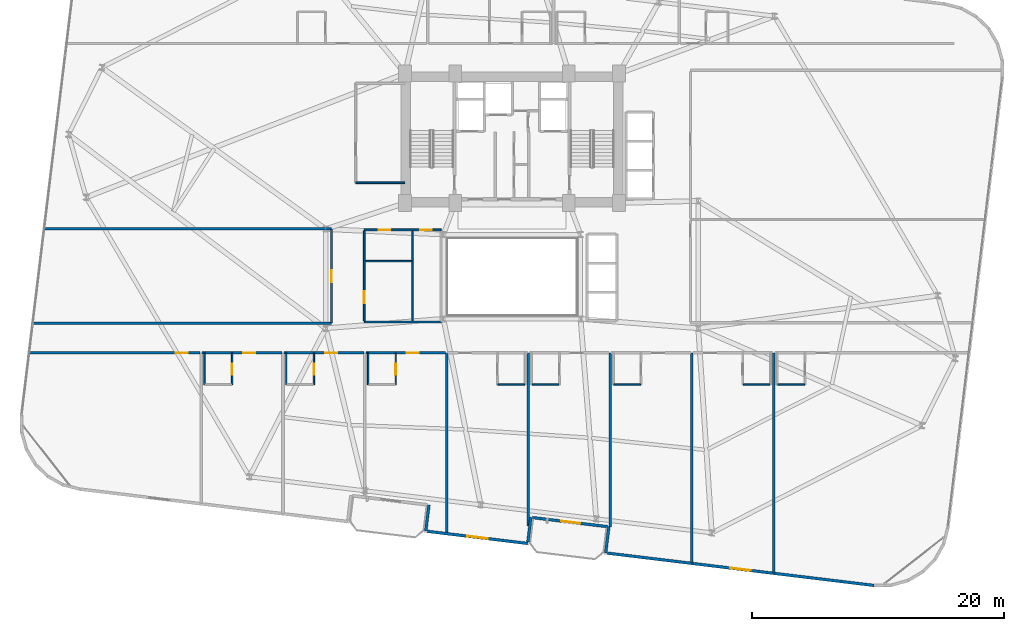
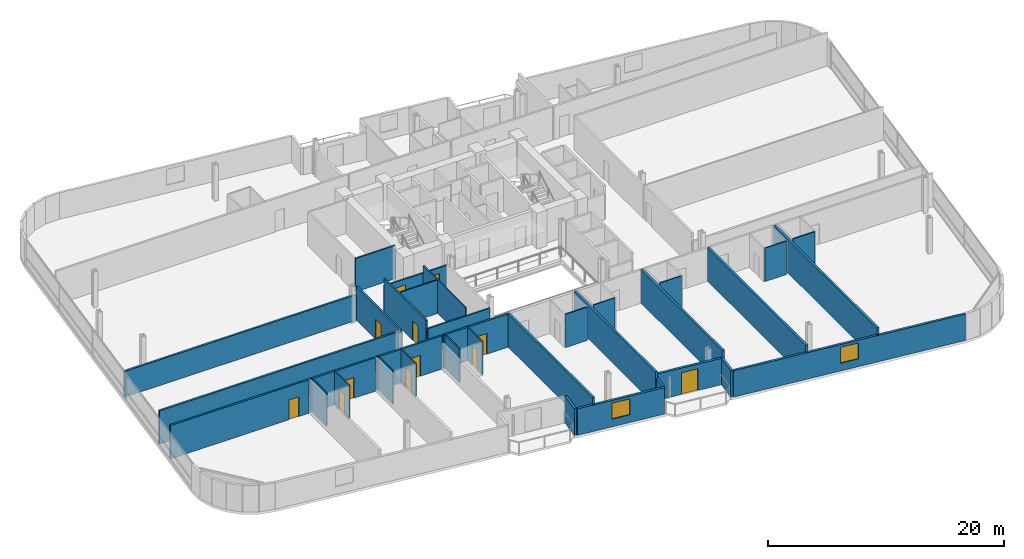
# One storey, part 20 of 26: 35 walls, 12 doors, 2 windows, 14 openings.
"""IFC4 building model written with IfcOpenShell, lengths in metres."""

from ifc_helpers import new_model, si_unit, direction, frame, frame_2d, origin, place, context, subcontext, project, spatial, rectangle, extrude, material, layer, layer_set, type_object, element, fill, save


model = new_model("IFC4")

# Units and contexts
model_context = context("Model", 3, precision=1e-05, world=origin(), true_north=direction((0.0, 1.0)))
body_context = subcontext(model_context, "Body", "Model", "MODEL_VIEW")
ifc_project = project(units=[si_unit("LENGTHUNIT", "METRE"), si_unit("AREAUNIT", "SQUARE_METRE"), si_unit("VOLUMEUNIT", "CUBIC_METRE"), si_unit("PLANEANGLEUNIT", "RADIAN"), si_unit("MASSUNIT", "GRAM", prefix="KILO")], contexts=[model_context])

# Site, building, storey
site_placement = place(None, origin())
site = spatial("IfcSite", under=ifc_project, at=site_placement, CompositionType="ELEMENT")
building_placement = place(site_placement, origin())
building = spatial("IfcBuilding", under=site, at=building_placement, Name="Varnelok Gate Tower", CompositionType="ELEMENT")
storey_placement = place(building_placement, frame((0.0, 0.0, 121.699951171875)))
storey = spatial("IfcBuildingStorey", under=building, at=storey_placement, Name="L30", CompositionType="ELEMENT", Elevation=121.699951171875)

# Wall, opening, door
ifc_material_1 = material(Name="Concrete C45/55", Category="concrete")
ifc_layer_1 = layer(ifc_material_1, 0.219970703125)
ifc_layer_set_1 = layer_set([ifc_layer_1], Name="Concrete C45/55")
wall_type_1 = type_object("IfcWallType", Name="EW-BALC-220", PredefinedType="SOLIDWALL", material=ifc_layer_set_1)
wall_1_placement = place(storey_placement, frame((46.77587890625, 3.03662109375, 0.0), z_axis=(0.0, 0.0, 1.0), x_axis=(-0.992735402148, 0.120318000826, 0.0)))
wall_1 = element("IfcWall", 1, at=wall_1_placement, inside=storey, type_object=wall_type_1, Name="L30 South Terrace Envelope Wall 2", PredefinedType="SOLIDWALL", context=body_context, shape_type="SweptSolid", body=[
    extrude(rectangle(XDim=6.000244140625, YDim=0.219970703125, at=frame_2d((3.0, 0.0))), origin(), (0.0, 0.0, 1.0), 2.72998046875),
])
opening_1_placement = place(wall_1_placement, frame((2.176025390625, 0.0, 0.0)))
opening_1 = element("IfcOpeningElement", 2, at=opening_1_placement, cuts=wall_1, Name="Opening BD-1", PredefinedType="OPENING", context=body_context, shape_type="SweptSolid", body=[
    extrude(rectangle(XDim=1.5, YDim=2.25, at=frame_2d((0.75, 1.125))), frame((0.0, 0.119873046875, 0.0), z_axis=(0.0, -1.0, 0.0), x_axis=(1.0, 0.0, 0.0)), (0.0, 0.0, 1.0), 0.239990234375),
])
ifc_material_2 = material(Name="Anodized Aluminum Alloy 6063-T6", Category="aluminium")
door_type_1 = type_object("IfcDoorType", Name="DR-EXT-BALC1500", OperationType="NOTDEFINED", PredefinedType="DOOR", material=ifc_material_2)
door_1_placement = place(opening_1_placement, origin())
door_1 = element("IfcDoor", 3, at=door_1_placement, inside=storey, type_object=door_type_1, Name="L30 South Balcony Glazed Door 2", OperationType="SINGLE_SWING_LEFT", OverallHeight=2.25, OverallWidth=1.5, PredefinedType="DOOR", context=body_context, shape_type="SweptSolid", body=[
    extrude(rectangle(XDim=1.5, YDim=2.25, at=frame_2d((0.75, 1.125))), frame((0.0, 0.02490234375, 0.0), z_axis=(0.0, -1.0, 0.0), x_axis=(1.0, 0.0, 0.0)), (0.0, 0.0, 1.0), 0.050048828125),
])
fill(opening_1, door_1)

# Wall
wall_2_placement = place(storey_placement, frame((32.600830078125, 4.764892578125, 0.0), z_axis=(0.0, 0.0, 1.0), x_axis=(-0.120327895535, -0.992734202874, 0.0)))
element("IfcWall", 4, at=wall_2_placement, inside=storey, type_object=wall_type_1, Name="L30 Perimeter Facade Closure Wall 9", PredefinedType="SOLIDWALL", context=body_context, shape_type="SweptSolid", body=[
    extrude(rectangle(XDim=2.099853515625, YDim=0.219970703125, at=frame_2d((1.0498046875, 0.0))), origin(), (0.0, 0.0, 1.0), 2.72998046875),
])

# Wall, opening, window
wall_3_placement = place(storey_placement, frame((32.47216796875, 2.6650390625, 0.0), z_axis=(0.0, 0.0, 1.0), x_axis=(0.992734661931, -0.120324108143, 0.0)))
wall_3 = element("IfcWall", 5, at=wall_3_placement, inside=storey, type_object=wall_type_1, Name="L30 Perimeter Facade Closure Wall 10", PredefinedType="SOLIDWALL", context=body_context, shape_type="SweptSolid", body=[
    extrude(rectangle(XDim=8.034912109375, YDim=0.219970703125, at=frame_2d((4.017578125, 0.0))), origin(), (0.0, 0.0, 1.0), 2.72998046875),
])
opening_2_placement = place(wall_3_placement, frame((3.1923828125, 0.0, 0.800048828125)))
opening_2 = element("IfcOpeningElement", 6, at=opening_2_placement, cuts=wall_3, Name="Opening WN3", PredefinedType="OPENING", context=body_context, shape_type="SweptSolid", body=[
    extrude(rectangle(XDim=1.64990234375, YDim=1.64990234375, at=frame_2d((0.824951171875, 0.824951171875))), frame((0.0, 0.119873046875, 0.0), z_axis=(0.0, -1.0, 0.0), x_axis=(1.0, 0.0, 0.0)), (0.0, 0.0, 1.0), 0.239990234375),
])
ifc_material_3 = material(Name="Low-E Laminated Double Glazing IGU", Category="glass")
window_type = type_object("IfcWindowType", Name="WN-HTL-1650", PartitioningType="SINGLE_PANEL", PredefinedType="WINDOW", material=ifc_material_3)
window_1_placement = place(opening_2_placement, origin())
window_1 = element("IfcWindow", 7, at=window_1_placement, inside=storey, type_object=window_type, Name="L30 Perimeter Vision Window 10", OverallHeight=1.64990234375, OverallWidth=1.64990234375, PartitioningType="SINGLE_PANEL", PredefinedType="WINDOW", context=body_context, shape_type="SweptSolid", body=[
    extrude(rectangle(XDim=1.64990234375, YDim=1.64990234375, at=frame_2d((0.824951171875, 0.824951171875))), frame((0.0, 0.030029296875, 0.0), z_axis=(0.0, -1.0, 0.0), x_axis=(1.0, 0.0, 0.0)), (0.0, 0.0, 1.0), 0.06005859375),
])
fill(opening_2, window_1)

# Walls
wall_4_placement = place(storey_placement, frame((40.4638671875, 1.822265625, 0.0), z_axis=(0.0, 0.0, 1.0), x_axis=(0.120275992932, 0.992740492538, 0.0)))
element("IfcWall", 8, at=wall_4_placement, inside=storey, type_object=wall_type_1, Name="L30 Perimeter Facade Closure Wall 11", PredefinedType="SOLIDWALL", context=body_context, shape_type="SweptSolid", body=[
    extrude(rectangle(XDim=1.97509765625, YDim=0.219970703125, at=frame_2d((0.987548828125, 0.0))), origin(), (0.0, 0.0, 1.0), 2.72998046875),
])
wall_5_placement = place(storey_placement, frame((46.89599609375, 3.031982421875, 0.0), z_axis=(0.0, 0.0, 1.0), x_axis=(-0.120327895535, -0.992734202874, 0.0)))
element("IfcWall", 9, at=wall_5_placement, inside=storey, type_object=wall_type_1, Name="L30 Perimeter Facade Closure Wall 12", PredefinedType="SOLIDWALL", context=body_context, shape_type="SweptSolid", body=[
    extrude(rectangle(XDim=2.099853515625, YDim=0.219970703125, at=frame_2d((1.0498046875, 0.0))), origin(), (0.0, 0.0, 1.0), 2.72998046875),
])

# Wall, opening, window
wall_6_placement = place(storey_placement, frame((46.767578125, 0.93212890625, 0.0), z_axis=(0.0, 0.0, 1.0), x_axis=(0.992733036814, -0.120337515419, 0.0)))
wall_6 = element("IfcWall", 10, at=wall_6_placement, inside=storey, type_object=wall_type_1, Name="L30 Perimeter Facade Closure Wall 13", PredefinedType="SOLIDWALL", context=body_context, shape_type="SweptSolid", body=[
    extrude(rectangle(XDim=21.346923828125, YDim=0.219970703125, at=frame_2d((10.67333984375, 0.0))), origin(), (0.0, 0.0, 1.0), 2.72998046875),
])
opening_3_placement = place(wall_6_placement, frame((9.8486328125, 0.0, 0.800048828125)))
opening_3 = element("IfcOpeningElement", 11, at=opening_3_placement, cuts=wall_6, Name="Opening WN3", PredefinedType="OPENING", context=body_context, shape_type="SweptSolid", body=[
    extrude(rectangle(XDim=1.64990234375, YDim=1.64990234375, at=frame_2d((0.824951171875, 0.824951171875))), frame((0.0, 0.119873046875, 0.0), z_axis=(0.0, -1.0, 0.0), x_axis=(1.0, 0.0, 0.0)), (0.0, 0.0, 1.0), 0.239990234375),
])
window_2_placement = place(opening_3_placement, origin())
window_2 = element("IfcWindow", 12, at=window_2_placement, inside=storey, type_object=window_type, Name="L30 Perimeter Vision Window 13", OverallHeight=1.64990234375, OverallWidth=1.64990234375, PartitioningType="SINGLE_PANEL", PredefinedType="WINDOW", context=body_context, shape_type="SweptSolid", body=[
    extrude(rectangle(XDim=1.64990234375, YDim=1.64990234375, at=frame_2d((0.824951171875, 0.824951171875))), frame((0.0, 0.030029296875, 0.0), z_axis=(0.0, -1.0, 0.0), x_axis=(1.0, 0.0, 0.0)), (0.0, 0.0, 1.0), 0.06005859375),
])
fill(opening_3, window_2)

# Wall, opening, door
ifc_material_4 = material(Name="Gypsum Plasterboard Acoustic Partition", Category="gypsum")
ifc_layer_2 = layer(ifc_material_4, 0.179931640625)
ifc_layer_set_2 = layer_set([ifc_layer_2], Name="Gypsum Plasterboard Acoustic Partition")
wall_type_2 = type_object("IfcWallType", Name="PW-CORR-180", PredefinedType="PARTITIONING", material=ifc_layer_set_2)
wall_7_placement = place(storey_placement, frame((0.88427734375, 16.85009765625, 0.0), z_axis=(0.0, 0.0, 1.0), x_axis=(1.0, 0.0, 0.0)))
wall_7 = element("IfcWall", 13, at=wall_7_placement, inside=storey, type_object=wall_type_2, Name="Interior Partition", PredefinedType="PARTITIONING", context=body_context, shape_type="SweptSolid", body=[
    extrude(rectangle(XDim=13.53564453125, YDim=0.179931640625, at=frame_2d((6.767822265625, 0.0))), origin(), (0.0, 0.0, 1.0), 3.449951171875),
])
opening_4_placement = place(wall_7_placement, frame((11.5908203125, 0.0, 0.0)))
opening_4 = element("IfcOpeningElement", 14, at=opening_4_placement, cuts=wall_7, Name="Opening D-I2", PredefinedType="OPENING", context=body_context, shape_type="SweptSolid", body=[
    extrude(rectangle(XDim=0.949951171875, YDim=2.050048828125, at=frame_2d((0.47509765625, 1.02490234375))), frame((0.0, 0.099853515625, 0.0), z_axis=(0.0, -1.0, 0.0), x_axis=(1.0, 0.0, 0.0)), (0.0, 0.0, 1.0), 0.199951171875),
])
ifc_material_5 = material(Name="Engineered Hardwood Timber", Category="wood")
door_type_2 = type_object("IfcDoorType", Name="DR-INT-950", OperationType="NOTDEFINED", PredefinedType="DOOR", material=ifc_material_5)
door_2_placement = place(opening_4_placement, origin())
door_2 = element("IfcDoor", 15, at=door_2_placement, inside=storey, type_object=door_type_2, Name="L30 Wellness Spa Lounge Door", OperationType="SINGLE_SWING_LEFT", OverallHeight=2.050048828125, OverallWidth=0.949951171875, PredefinedType="DOOR", context=body_context, shape_type="SweptSolid", body=[
    extrude(rectangle(XDim=0.949951171875, YDim=2.050048828125, at=frame_2d((0.47509765625, 1.02490234375))), frame((0.0, 0.02490234375, 0.0), z_axis=(0.0, -1.0, 0.0), x_axis=(1.0, 0.0, 0.0)), (0.0, 0.0, 1.0), 0.050048828125),
])
fill(opening_4, door_2)

wall_8_placement = place(storey_placement, frame((14.580078125, 16.85009765625, 0.0), z_axis=(0.0, 0.0, 1.0), x_axis=(1.0, 0.0, 0.0)))
wall_8 = element("IfcWall", 16, at=wall_8_placement, inside=storey, type_object=wall_type_2, Name="Interior Partition", PredefinedType="PARTITIONING", context=body_context, shape_type="SweptSolid", body=[
    extrude(rectangle(XDim=6.33984375, YDim=0.179931640625, at=frame_2d((3.169921875, 0.0))), origin(), (0.0, 0.0, 1.0), 3.449951171875),
])
opening_5_placement = place(wall_8_placement, frame((3.273681640625, 0.0, 0.0)))
opening_5 = element("IfcOpeningElement", 17, at=opening_5_placement, cuts=wall_8, Name="Opening D-HT", PredefinedType="OPENING", context=body_context, shape_type="SweptSolid", body=[
    extrude(rectangle(XDim=0.949951171875, YDim=2.14990234375, at=frame_2d((0.47509765625, 1.074951171875))), frame((0.0, 0.099853515625, 0.0), z_axis=(0.0, -1.0, 0.0), x_axis=(1.0, 0.0, 0.0)), (0.0, 0.0, 1.0), 0.199951171875),
])
door_type_3 = type_object("IfcDoorType", Name="DR-HTL-950", OperationType="NOTDEFINED", PredefinedType="DOOR", material=ifc_material_5)
door_3_placement = place(opening_5_placement, origin())
door_3 = element("IfcDoor", 18, at=door_3_placement, inside=storey, type_object=door_type_3, Name="L30 Guest Room 02 Entrance Door", OperationType="SINGLE_SWING_LEFT", OverallHeight=2.14990234375, OverallWidth=0.949951171875, PredefinedType="DOOR", context=body_context, shape_type="SweptSolid", body=[
    extrude(rectangle(XDim=0.949951171875, YDim=2.14990234375, at=frame_2d((0.47509765625, 1.074951171875))), frame((0.0, 0.02490234375, 0.0), z_axis=(0.0, -1.0, 0.0), x_axis=(1.0, 0.0, 0.0)), (0.0, 0.0, 1.0), 0.050048828125),
])
fill(opening_5, door_3)

wall_9_placement = place(storey_placement, frame((21.080078125, 16.85009765625, 0.0), z_axis=(0.0, 0.0, 1.0), x_axis=(1.0, 0.0, 0.0)))
wall_9 = element("IfcWall", 19, at=wall_9_placement, inside=storey, type_object=wall_type_2, Name="Interior Partition", PredefinedType="PARTITIONING", context=body_context, shape_type="SweptSolid", body=[
    extrude(rectangle(XDim=6.33984375, YDim=0.179931640625, at=frame_2d((3.169921875, 0.0))), origin(), (0.0, 0.0, 1.0), 3.449951171875),
])
opening_6_placement = place(wall_9_placement, frame((3.273681640625, 0.0, 0.0)))
opening_6 = element("IfcOpeningElement", 20, at=opening_6_placement, cuts=wall_9, Name="Opening D-HT", PredefinedType="OPENING", context=body_context, shape_type="SweptSolid", body=[
    extrude(rectangle(XDim=0.949951171875, YDim=2.14990234375, at=frame_2d((0.47509765625, 1.074951171875))), frame((0.0, 0.099853515625, 0.0), z_axis=(0.0, -1.0, 0.0), x_axis=(1.0, 0.0, 0.0)), (0.0, 0.0, 1.0), 0.199951171875),
])
door_4_placement = place(opening_6_placement, origin())
door_4 = element("IfcDoor", 21, at=door_4_placement, inside=storey, type_object=door_type_3, Name="L30 Guest Room 03 Entrance Door", OperationType="SINGLE_SWING_RIGHT", OverallHeight=2.14990234375, OverallWidth=0.949951171875, PredefinedType="DOOR", context=body_context, shape_type="SweptSolid", body=[
    extrude(rectangle(XDim=0.949951171875, YDim=2.14990234375, at=frame_2d((0.47509765625, 1.074951171875))), frame((0.0, 0.02490234375, 0.0), z_axis=(0.0, -1.0, 0.0), x_axis=(1.0, 0.0, 0.0)), (0.0, 0.0, 1.0), 0.050048828125),
])
fill(opening_6, door_4)

wall_10_placement = place(storey_placement, frame((27.580078125, 16.85009765625, 0.0), z_axis=(0.0, 0.0, 1.0), x_axis=(1.0, 0.0, 0.0)))
wall_10 = element("IfcWall", 22, at=wall_10_placement, inside=storey, type_object=wall_type_2, Name="Interior Partition", PredefinedType="PARTITIONING", context=body_context, shape_type="SweptSolid", body=[
    extrude(rectangle(XDim=6.33984375, YDim=0.179931640625, at=frame_2d((3.169921875, 0.0))), origin(), (0.0, 0.0, 1.0), 3.449951171875),
])
opening_7_placement = place(wall_10_placement, frame((3.273681640625, 0.0, 0.0)))
opening_7 = element("IfcOpeningElement", 23, at=opening_7_placement, cuts=wall_10, Name="Opening D-HT", PredefinedType="OPENING", context=body_context, shape_type="SweptSolid", body=[
    extrude(rectangle(XDim=0.949951171875, YDim=2.14990234375, at=frame_2d((0.47509765625, 1.074951171875))), frame((0.0, 0.099853515625, 0.0), z_axis=(0.0, -1.0, 0.0), x_axis=(1.0, 0.0, 0.0)), (0.0, 0.0, 1.0), 0.199951171875),
])
door_5_placement = place(opening_7_placement, origin())
door_5 = element("IfcDoor", 24, at=door_5_placement, inside=storey, type_object=door_type_3, Name="L30 Guest Room 04 Entrance Door", OperationType="SINGLE_SWING_LEFT", OverallHeight=2.14990234375, OverallWidth=0.949951171875, PredefinedType="DOOR", context=body_context, shape_type="SweptSolid", body=[
    extrude(rectangle(XDim=0.949951171875, YDim=2.14990234375, at=frame_2d((0.47509765625, 1.074951171875))), frame((0.0, 0.02490234375, 0.0), z_axis=(0.0, -1.0, 0.0), x_axis=(1.0, 0.0, 0.0)), (0.0, 0.0, 1.0), 0.050048828125),
])
fill(opening_7, door_5)

wall_11_placement = place(storey_placement, frame((24.85009765625, 19.199951171875, 0.0), z_axis=(0.0, 0.0, 1.0), x_axis=(0.0, 1.0, 0.0)))
wall_11 = element("IfcWall", 25, at=wall_11_placement, inside=storey, type_object=wall_type_2, Name="Interior Partition", PredefinedType="PARTITIONING", context=body_context, shape_type="SweptSolid", body=[
    extrude(rectangle(XDim=7.5, YDim=0.179931640625, at=frame_2d((3.75, 0.0))), origin(), (0.0, 0.0, 1.0), 3.449951171875),
])
opening_8_placement = place(wall_11_placement, frame((3.27490234375, 0.0, 0.0)))
opening_8 = element("IfcOpeningElement", 26, at=opening_8_placement, cuts=wall_11, Name="Opening D-I2", PredefinedType="OPENING", context=body_context, shape_type="SweptSolid", body=[
    extrude(rectangle(XDim=0.949951171875, YDim=2.050048828125, at=frame_2d((0.47509765625, 1.02490234375))), frame((0.0, 0.099853515625, 0.0), z_axis=(0.0, -1.0, 0.0), x_axis=(1.0, 0.0, 0.0)), (0.0, 0.0, 1.0), 0.199951171875),
])
door_6_placement = place(opening_8_placement, origin())
door_6 = element("IfcDoor", 27, at=door_6_placement, inside=storey, type_object=door_type_2, Name="L30 West Flank Room Door", OperationType="SINGLE_SWING_LEFT", OverallHeight=2.050048828125, OverallWidth=0.949951171875, PredefinedType="DOOR", context=body_context, shape_type="SweptSolid", body=[
    extrude(rectangle(XDim=0.949951171875, YDim=2.050048828125, at=frame_2d((0.47509765625, 1.02490234375))), frame((0.0, 0.02490234375, 0.0), z_axis=(0.0, -1.0, 0.0), x_axis=(1.0, 0.0, 0.0)), (0.0, 0.0, 1.0), 0.050048828125),
])
fill(opening_8, door_6)

# Walls
wall_12_placement = place(storey_placement, frame((1.169189453125, 19.199951171875, 0.0), z_axis=(0.0, 0.0, 1.0), x_axis=(1.0, 0.0, 0.0)))
element("IfcWall", 28, at=wall_12_placement, inside=storey, type_object=wall_type_2, Name="Interior Partition", PredefinedType="PARTITIONING", context=body_context, shape_type="SweptSolid", body=[
    extrude(rectangle(XDim=23.680908203125, YDim=0.179931640625, at=frame_2d((11.84033203125, 0.0))), origin(), (0.0, 0.0, 1.0), 3.449951171875),
])
wall_13_placement = place(storey_placement, frame((2.078369140625, 26.699951171875, 0.0), z_axis=(0.0, 0.0, 1.0), x_axis=(1.0, 0.0, 0.0)))
element("IfcWall", 29, at=wall_13_placement, inside=storey, type_object=wall_type_2, Name="Interior Partition", PredefinedType="PARTITIONING", context=body_context, shape_type="SweptSolid", body=[
    extrude(rectangle(XDim=22.771728515625, YDim=0.179931640625, at=frame_2d((11.3857421875, 0.0))), origin(), (0.0, 0.0, 1.0), 2.662109375),
])

# Wall, opening, door
ifc_layer_3 = layer(ifc_material_4, 0.114990234375)
ifc_layer_set_3 = layer_set([ifc_layer_3], Name="Gypsum Plasterboard Acoustic Partition")
wall_type_3 = type_object("IfcWallType", Name="PW-ENS-125", PredefinedType="PARTITIONING", material=ifc_layer_set_3)
wall_14_placement = place(storey_placement, frame((16.964111328125, 14.330078125, 0.0), z_axis=(0.0, 0.0, 1.0), x_axis=(0.0, 1.0, 0.0)))
wall_14 = element("IfcWall", 30, at=wall_14_placement, inside=storey, type_object=wall_type_3, Name="Interior Partition", PredefinedType="PARTITIONING", context=body_context, shape_type="SweptSolid", body=[
    extrude(rectangle(XDim=2.52001953125, YDim=0.114990234375, at=frame_2d((1.260009765625, 0.0))), origin(), (0.0, 0.0, 1.0), 3.449951171875),
])
opening_9_placement = place(wall_14_placement, frame((0.760009765625, 0.0, 0.0)))
opening_9 = element("IfcOpeningElement", 31, at=opening_9_placement, cuts=wall_14, Name="Opening D-WC", PredefinedType="OPENING", context=body_context, shape_type="SweptSolid", body=[
    extrude(rectangle(XDim=0.89990234375, YDim=2.050048828125, at=frame_2d((0.449951171875, 1.02490234375))), frame((0.0, 0.0673828125, 0.0), z_axis=(0.0, -1.0, 0.0), x_axis=(1.0, 0.0, 0.0)), (0.0, 0.0, 1.0), 0.135009765625),
])
door_type_4 = type_object("IfcDoorType", Name="DR-BATH-900", OperationType="NOTDEFINED", PredefinedType="DOOR", material=ifc_material_5)
door_7_placement = place(opening_9_placement, origin())
door_7 = element("IfcDoor", 32, at=door_7_placement, inside=storey, type_object=door_type_4, Name="L30 Guest En-Suite 02 Door", OperationType="SINGLE_SWING_LEFT", OverallHeight=2.050048828125, OverallWidth=0.89990234375, PredefinedType="DOOR", context=body_context, shape_type="SweptSolid", body=[
    extrude(rectangle(XDim=0.89990234375, YDim=2.050048828125, at=frame_2d((0.449951171875, 1.02490234375))), frame((0.0, 0.02490234375, 0.0), z_axis=(0.0, -1.0, 0.0), x_axis=(1.0, 0.0, 0.0)), (0.0, 0.0, 1.0), 0.050048828125),
])
fill(opening_9, door_7)

# Wall
wall_15_placement = place(storey_placement, frame((14.760009765625, 14.330078125, 0.0), z_axis=(0.0, 0.0, 1.0), x_axis=(0.0, 1.0, 0.0)))
element("IfcWall", 33, at=wall_15_placement, inside=storey, type_object=wall_type_3, Name="Interior Partition", PredefinedType="PARTITIONING", context=body_context, shape_type="SweptSolid", body=[
    extrude(rectangle(XDim=2.52001953125, YDim=0.114990234375, at=frame_2d((1.260009765625, 0.0))), origin(), (0.0, 0.0, 1.0), 3.449951171875),
])

# Wall, opening, door
wall_16_placement = place(storey_placement, frame((23.464111328125, 14.330078125, 0.0), z_axis=(0.0, 0.0, 1.0), x_axis=(0.0, 1.0, 0.0)))
wall_16 = element("IfcWall", 34, at=wall_16_placement, inside=storey, type_object=wall_type_3, Name="Interior Partition", PredefinedType="PARTITIONING", context=body_context, shape_type="SweptSolid", body=[
    extrude(rectangle(XDim=2.52001953125, YDim=0.114990234375, at=frame_2d((1.260009765625, 0.0))), origin(), (0.0, 0.0, 1.0), 3.449951171875),
])
opening_10_placement = place(wall_16_placement, frame((0.760009765625, 0.0, 0.0)))
opening_10 = element("IfcOpeningElement", 35, at=opening_10_placement, cuts=wall_16, Name="Opening D-WC", PredefinedType="OPENING", context=body_context, shape_type="SweptSolid", body=[
    extrude(rectangle(XDim=0.89990234375, YDim=2.050048828125, at=frame_2d((0.449951171875, 1.02490234375))), frame((0.0, 0.0673828125, 0.0), z_axis=(0.0, -1.0, 0.0), x_axis=(1.0, 0.0, 0.0)), (0.0, 0.0, 1.0), 0.135009765625),
])
door_8_placement = place(opening_10_placement, origin())
door_8 = element("IfcDoor", 36, at=door_8_placement, inside=storey, type_object=door_type_4, Name="L30 Guest En-Suite 03 Door", OperationType="SINGLE_SWING_LEFT", OverallHeight=2.050048828125, OverallWidth=0.89990234375, PredefinedType="DOOR", context=body_context, shape_type="SweptSolid", body=[
    extrude(rectangle(XDim=0.89990234375, YDim=2.050048828125, at=frame_2d((0.449951171875, 1.02490234375))), frame((0.0, 0.02490234375, 0.0), z_axis=(0.0, -1.0, 0.0), x_axis=(1.0, 0.0, 0.0)), (0.0, 0.0, 1.0), 0.050048828125),
])
fill(opening_10, door_8)

# Wall
wall_17_placement = place(storey_placement, frame((21.260009765625, 14.330078125, 0.0), z_axis=(0.0, 0.0, 1.0), x_axis=(0.0, 1.0, 0.0)))
element("IfcWall", 37, at=wall_17_placement, inside=storey, type_object=wall_type_3, Name="Interior Partition", PredefinedType="PARTITIONING", context=body_context, shape_type="SweptSolid", body=[
    extrude(rectangle(XDim=2.52001953125, YDim=0.114990234375, at=frame_2d((1.260009765625, 0.0))), origin(), (0.0, 0.0, 1.0), 3.449951171875),
])

# Wall, opening, door
wall_18_placement = place(storey_placement, frame((29.964111328125, 14.330078125, 0.0), z_axis=(0.0, 0.0, 1.0), x_axis=(0.0, 1.0, 0.0)))
wall_18 = element("IfcWall", 38, at=wall_18_placement, inside=storey, type_object=wall_type_3, Name="Interior Partition", PredefinedType="PARTITIONING", context=body_context, shape_type="SweptSolid", body=[
    extrude(rectangle(XDim=2.52001953125, YDim=0.114990234375, at=frame_2d((1.260009765625, 0.0))), origin(), (0.0, 0.0, 1.0), 3.449951171875),
])
opening_11_placement = place(wall_18_placement, frame((0.760009765625, 0.0, 0.0)))
opening_11 = element("IfcOpeningElement", 39, at=opening_11_placement, cuts=wall_18, Name="Opening D-WC", PredefinedType="OPENING", context=body_context, shape_type="SweptSolid", body=[
    extrude(rectangle(XDim=0.89990234375, YDim=2.050048828125, at=frame_2d((0.449951171875, 1.02490234375))), frame((0.0, 0.0673828125, 0.0), z_axis=(0.0, -1.0, 0.0), x_axis=(1.0, 0.0, 0.0)), (0.0, 0.0, 1.0), 0.135009765625),
])
door_9_placement = place(opening_11_placement, origin())
door_9 = element("IfcDoor", 40, at=door_9_placement, inside=storey, type_object=door_type_4, Name="L30 Guest En-Suite 04 Door", OperationType="SINGLE_SWING_LEFT", OverallHeight=2.050048828125, OverallWidth=0.89990234375, PredefinedType="DOOR", context=body_context, shape_type="SweptSolid", body=[
    extrude(rectangle(XDim=0.89990234375, YDim=2.050048828125, at=frame_2d((0.449951171875, 1.02490234375))), frame((0.0, 0.02490234375, 0.0), z_axis=(0.0, -1.0, 0.0), x_axis=(1.0, 0.0, 0.0)), (0.0, 0.0, 1.0), 0.050048828125),
])
fill(opening_11, door_9)

# Walls
wall_19_placement = place(storey_placement, frame((27.760009765625, 14.330078125, 0.0), z_axis=(0.0, 0.0, 1.0), x_axis=(0.0, 1.0, 0.0)))
element("IfcWall", 41, at=wall_19_placement, inside=storey, type_object=wall_type_3, Name="Interior Partition", PredefinedType="PARTITIONING", context=body_context, shape_type="SweptSolid", body=[
    extrude(rectangle(XDim=2.52001953125, YDim=0.114990234375, at=frame_2d((1.260009765625, 0.0))), origin(), (0.0, 0.0, 1.0), 3.449951171875),
])
for number, where, z_axis, x_axis, name in (
    (42, (38.075927734375, 14.330078125, 0.0), (0.0, 0.0, 1.0), (1.0, 0.0, 0.0), "Interior Partition"),
    (43, (40.800048828125, 14.330078125, 0.0), (0.0, 0.0, 1.0), (1.0, 0.0, 0.0), "Interior Partition"),
    (44, (47.300048828125, 14.330078125, 0.0), (0.0, 0.0, 1.0), (1.0, 0.0, 0.0), "Interior Partition"),
    (45, (57.575927734375, 14.330078125, 0.0), (0.0, 0.0, 1.0), (1.0, 0.0, 0.0), "Interior Partition"),
):
    element("IfcWall", number, at=place(storey_placement, frame(where, z_axis=z_axis, x_axis=x_axis)), inside=storey, type_object=wall_type_3, Name=name, PredefinedType="PARTITIONING", context=body_context, shape_type="SweptSolid", body=[
        extrude(rectangle(XDim=2.1240234375, YDim=0.114990234375, at=frame_2d((1.06201171875, 0.0))), origin(), (0.0, 0.0, 1.0), 3.449951171875),
    ])
wall_20_placement = place(storey_placement, frame((60.300048828125, 14.330078125, 0.0), z_axis=(0.0, 0.0, 1.0), x_axis=(1.0, 0.0, 0.0)))
element("IfcWall", 46, at=wall_20_placement, inside=storey, type_object=wall_type_3, Name="Interior Partition", PredefinedType="PARTITIONING", context=body_context, shape_type="SweptSolid", body=[
    extrude(rectangle(XDim=2.14990234375, YDim=0.114990234375, at=frame_2d((1.074951171875, 0.0))), origin(), (0.0, 0.0, 1.0), 3.449951171875),
])
ifc_layer_4 = layer(ifc_material_4, 0.125)
ifc_layer_set_4 = layer_set([ifc_layer_4], Name="Gypsum Plasterboard Acoustic Partition")
wall_type_4 = type_object("IfcWallType", Name="PW-PART-125", PredefinedType="PARTITIONING", material=ifc_layer_set_4)
wall_21_placement = place(storey_placement, frame((31.280029296875, 19.3798828125, 0.0), z_axis=(0.0, 0.0, 1.0), x_axis=(0.0, 1.0, 0.0)))
element("IfcWall", 47, at=wall_21_placement, inside=storey, type_object=wall_type_4, Name="Interior Partition", PredefinedType="PARTITIONING", context=body_context, shape_type="SweptSolid", body=[
    extrude(rectangle(XDim=7.16015625, YDim=0.125, at=frame_2d((3.580078125, 0.0))), origin(), (0.0, 0.0, 1.0), 3.449951171875),
])
wall_22_placement = place(storey_placement, frame((27.52001953125, 24.1298828125, 0.0), z_axis=(0.0, 0.0, 1.0), x_axis=(1.0, 0.0, 0.0)))
element("IfcWall", 48, at=wall_22_placement, inside=storey, type_object=wall_type_4, Name="Interior Partition", PredefinedType="PARTITIONING", context=body_context, shape_type="SweptSolid", body=[
    extrude(rectangle(XDim=3.699951171875, YDim=0.125, at=frame_2d((1.85009765625, 0.0))), origin(), (0.0, 0.0, 1.0), 3.449951171875),
])
ifc_layer_5 = layer(ifc_material_4, 0.14990234375)
ifc_layer_set_5 = layer_set([ifc_layer_5], Name="Gypsum Plasterboard Acoustic Partition")
wall_type_5 = type_object("IfcWallType", Name="PW-PART-150", PredefinedType="PARTITIONING", material=ifc_layer_set_5)
wall_23_placement = place(storey_placement, frame((27.4599609375, 19.300048828125, 0.0), z_axis=(0.0, 0.0, 1.0), x_axis=(1.0, 0.0, 0.0)))
element("IfcWall", 49, at=wall_23_placement, inside=storey, type_object=wall_type_5, Name="Interior Partition", PredefinedType="PARTITIONING", context=body_context, shape_type="SweptSolid", body=[
    extrude(rectangle(XDim=6.10009765625, YDim=0.14990234375, at=frame_2d((3.050048828125, 0.0))), origin(), (0.0, 0.0, 1.0), 2.662109375),
])

# Wall, openings, doors
wall_24_placement = place(storey_placement, frame((27.4599609375, 26.6201171875, 0.0), z_axis=(0.0, 0.0, 1.0), x_axis=(1.0, 0.0, 0.0)))
wall_24 = element("IfcWall", 50, at=wall_24_placement, inside=storey, type_object=wall_type_5, Name="Interior Partition", PredefinedType="PARTITIONING", context=body_context, shape_type="SweptSolid", body=[
    extrude(rectangle(XDim=6.10009765625, YDim=0.14990234375, at=frame_2d((3.050048828125, 0.0))), origin(), (0.0, 0.0, 1.0), 2.662109375),
])
opening_12_placement = place(wall_24_placement, frame((1.14990234375, 0.0, 0.0)))
opening_12 = element("IfcOpeningElement", 51, at=opening_12_placement, cuts=wall_24, Name="Opening D-WC", PredefinedType="OPENING", context=body_context, shape_type="SweptSolid", body=[
    extrude(rectangle(XDim=0.89990234375, YDim=2.050048828125, at=frame_2d((0.449951171875, 1.02490234375))), frame((0.0, 0.0849609375, 0.0), z_axis=(0.0, -1.0, 0.0), x_axis=(1.0, 0.0, 0.0)), (0.0, 0.0, 1.0), 0.169921875),
])
opening_13_placement = place(wall_24_placement, frame((4.449951171875, 0.0, 0.0)))
opening_13 = element("IfcOpeningElement", 52, at=opening_13_placement, cuts=wall_24, Name="Opening D-I3", PredefinedType="OPENING", context=body_context, shape_type="SweptSolid", body=[
    extrude(rectangle(XDim=0.919921875, YDim=2.050048828125, at=frame_2d((0.4599609375, 1.02490234375))), frame((0.0, 0.0849609375, 0.0), z_axis=(0.0, -1.0, 0.0), x_axis=(1.0, 0.0, 0.0)), (0.0, 0.0, 1.0), 0.169921875),
])
door_10_placement = place(opening_12_placement, origin())
door_10 = element("IfcDoor", 53, at=door_10_placement, inside=storey, type_object=door_type_4, Name="L30 Accessible Floor WC Door", OperationType="SINGLE_SWING_LEFT", OverallHeight=2.050048828125, OverallWidth=0.89990234375, PredefinedType="DOOR", context=body_context, shape_type="SweptSolid", body=[
    extrude(rectangle(XDim=0.89990234375, YDim=2.050048828125, at=frame_2d((0.449951171875, 1.02490234375))), frame((0.0, 0.02490234375, 0.0), z_axis=(0.0, -1.0, 0.0), x_axis=(1.0, 0.0, 0.0)), (0.0, 0.0, 1.0), 0.050048828125),
])
fill(opening_12, door_10)
door_type_5 = type_object("IfcDoorType", Name="DR-INT-920", OperationType="NOTDEFINED", PredefinedType="DOOR", material=ifc_material_5)
door_11_placement = place(opening_13_placement, origin())
door_11 = element("IfcDoor", 54, at=door_11_placement, inside=storey, type_object=door_type_5, Name="L30 Valet Pantry Door", OperationType="SINGLE_SWING_RIGHT", OverallHeight=2.050048828125, OverallWidth=0.919921875, PredefinedType="DOOR", context=body_context, shape_type="SweptSolid", body=[
    extrude(rectangle(XDim=0.919921875, YDim=2.050048828125, at=frame_2d((0.4599609375, 1.02490234375))), frame((0.0, 0.02490234375, 0.0), z_axis=(0.0, -1.0, 0.0), x_axis=(1.0, 0.0, 0.0)), (0.0, 0.0, 1.0), 0.050048828125),
])
fill(opening_13, door_11)

# Wall, opening, door
wall_25_placement = place(storey_placement, frame((27.4599609375, 19.3798828125, 0.0), z_axis=(0.0, 0.0, 1.0), x_axis=(0.0, 1.0, 0.0)))
wall_25 = element("IfcWall", 55, at=wall_25_placement, inside=storey, type_object=wall_type_5, Name="Interior Partition", PredefinedType="PARTITIONING", context=body_context, shape_type="SweptSolid", body=[
    extrude(rectangle(XDim=7.16015625, YDim=0.14990234375, at=frame_2d((3.580078125, 0.0))), origin(), (0.0, 0.0, 1.0), 3.449951171875),
])
opening_14_placement = place(wall_25_placement, frame((1.39990234375, 0.0, 0.0)))
opening_14 = element("IfcOpeningElement", 56, at=opening_14_placement, cuts=wall_25, Name="Opening D-I2", PredefinedType="OPENING", context=body_context, shape_type="SweptSolid", body=[
    extrude(rectangle(XDim=0.949951171875, YDim=2.050048828125, at=frame_2d((0.47509765625, 1.02490234375))), frame((0.0, 0.0849609375, 0.0), z_axis=(0.0, -1.0, 0.0), x_axis=(1.0, 0.0, 0.0)), (0.0, 0.0, 1.0), 0.169921875),
])
door_12_placement = place(opening_14_placement, origin())
door_12 = element("IfcDoor", 57, at=door_12_placement, inside=storey, type_object=door_type_2, Name="L30 Private Owners Horizon Club Door", OperationType="SINGLE_SWING_LEFT", OverallHeight=2.050048828125, OverallWidth=0.949951171875, PredefinedType="DOOR", context=body_context, shape_type="SweptSolid", body=[
    extrude(rectangle(XDim=0.949951171875, YDim=2.050048828125, at=frame_2d((0.47509765625, 1.02490234375))), frame((0.0, 0.02490234375, 0.0), z_axis=(0.0, -1.0, 0.0), x_axis=(1.0, 0.0, 0.0)), (0.0, 0.0, 1.0), 0.050048828125),
])
fill(opening_14, door_12)

# Walls
wall_26_placement = place(storey_placement, frame((26.780029296875, 30.360107421875, 0.0), z_axis=(0.0, 0.0, 1.0), x_axis=(1.0, 0.0, 0.0)))
element("IfcWall", 58, at=wall_26_placement, inside=storey, type_object=wall_type_5, Name="Interior Partition", PredefinedType="PARTITIONING", context=body_context, shape_type="SweptSolid", body=[
    extrude(rectangle(XDim=3.89990234375, YDim=0.14990234375, at=frame_2d((1.949951171875, 0.0))), origin(), (0.0, 0.0, 1.0), 3.449951171875),
])
ifc_layer_6 = layer(ifc_material_4, 0.205078125)
ifc_layer_set_6 = layer_set([ifc_layer_6], Name="Gypsum Plasterboard Acoustic Partition")
wall_type_6 = type_object("IfcWallType", Name="PW-PARTY-200", PredefinedType="PARTITIONING", material=ifc_layer_set_6)
wall_27_placement = place(storey_placement, frame((34.0, 2.5, 0.0), z_axis=(0.0, 0.0, 1.0), x_axis=(0.0, 1.0, 0.0)))
element("IfcWall", 59, at=wall_27_placement, inside=storey, type_object=wall_type_6, Name="L30 South Party Wall 4", PredefinedType="PARTITIONING", context=body_context, shape_type="SweptSolid", body=[
    extrude(rectangle(XDim=14.35009765625, YDim=0.205078125, at=frame_2d((7.175048828125, 0.0))), origin(), (0.0, 0.0, 1.0), 3.449951171875),
])
wall_28_placement = place(storey_placement, frame((40.5, 3.076904296875, 0.0), z_axis=(0.0, 0.0, 1.0), x_axis=(0.0, 1.0, 0.0)))
element("IfcWall", 60, at=wall_28_placement, inside=storey, type_object=wall_type_6, Name="L30 South Party Wall 5", PredefinedType="PARTITIONING", context=body_context, shape_type="SweptSolid", body=[
    extrude(rectangle(XDim=13.773193359375, YDim=0.205078125, at=frame_2d((6.88671875, 0.0))), origin(), (0.0, 0.0, 1.0), 3.449951171875),
])
wall_29_placement = place(storey_placement, frame((47.0, 3.019287109375, 0.0), z_axis=(0.0, 0.0, 1.0), x_axis=(0.0, 1.0, 0.0)))
element("IfcWall", 61, at=wall_29_placement, inside=storey, type_object=wall_type_6, Name="L30 South Party Wall 6", PredefinedType="PARTITIONING", context=body_context, shape_type="SweptSolid", body=[
    extrude(rectangle(XDim=13.830810546875, YDim=0.205078125, at=frame_2d((6.91552734375, 0.0))), origin(), (0.0, 0.0, 1.0), 3.449951171875),
])
wall_30_placement = place(storey_placement, frame((53.5, 0.13623046875, 0.0), z_axis=(0.0, 0.0, 1.0), x_axis=(0.0, 1.0, 0.0)))
element("IfcWall", 62, at=wall_30_placement, inside=storey, type_object=wall_type_6, Name="L30 South Party Wall 7", PredefinedType="PARTITIONING", context=body_context, shape_type="SweptSolid", body=[
    extrude(rectangle(XDim=16.7138671875, YDim=0.205078125, at=frame_2d((8.35693359375, 0.0))), origin(), (0.0, 0.0, 1.0), 3.449951171875),
])
wall_31_placement = place(storey_placement, frame((60.0, -0.65185546875, 0.0), z_axis=(0.0, 0.0, 1.0), x_axis=(0.0, 1.0, 0.0)))
element("IfcWall", 63, at=wall_31_placement, inside=storey, type_object=wall_type_6, Name="L30 South Party Wall 8", PredefinedType="PARTITIONING", context=body_context, shape_type="SweptSolid", body=[
    extrude(rectangle(XDim=17.501953125, YDim=0.205078125, at=frame_2d((8.7509765625, 0.0))), origin(), (0.0, 0.0, 1.0), 3.449951171875),
])

save(model, "model.ifc")
